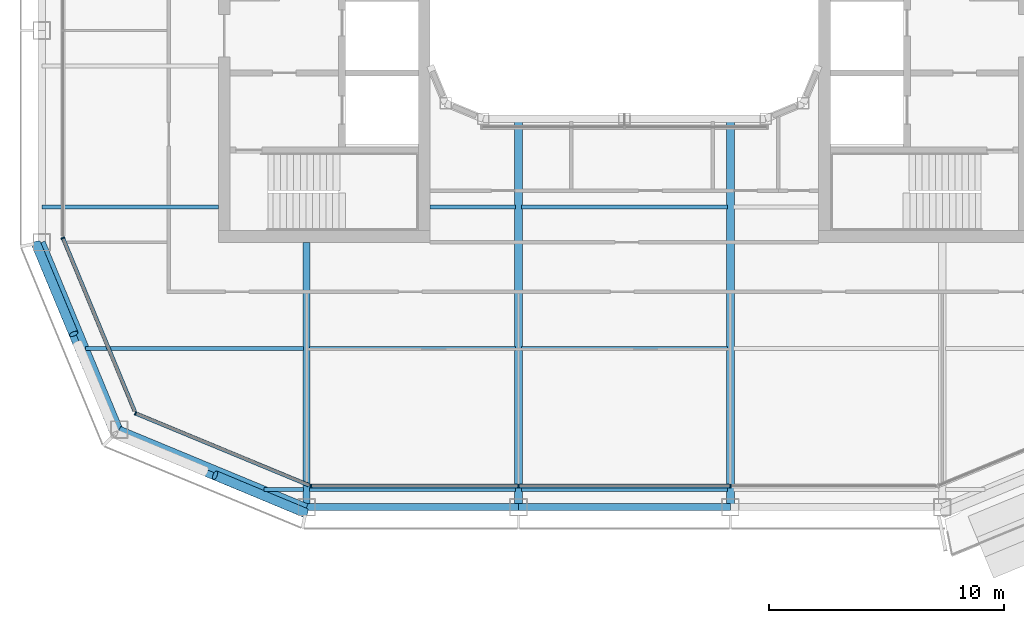
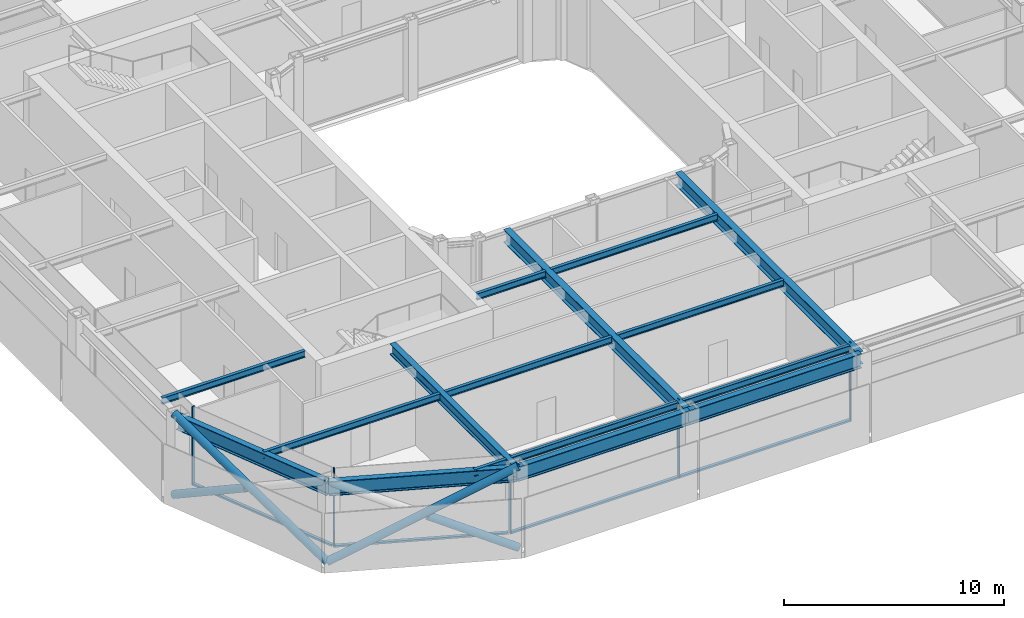
# One storey, part 2 of 21: 16 beams, 13 members, 3 elements without a shape of their own.
"""IFC4 building model written with IfcOpenShell, lengths in metres."""

from ifc_helpers import new_model, si_unit, direction, frame, origin, origin_2d, place, context, subcontext, project, spatial, rectangle, hollow_circle, i_section, extrude, material, layer, layer_set, material_profile, profile_set, type_object, element, aggregate, save


model = new_model("IFC4")

# Units and contexts
model_context = context("Model", 3, precision=1e-05, world=origin(), true_north=direction((0.0, 1.0)))
body_context = subcontext(model_context, "Body", "Model", "MODEL_VIEW")
ifc_project = project(units=[si_unit("LENGTHUNIT", "METRE"), si_unit("AREAUNIT", "SQUARE_METRE"), si_unit("VOLUMEUNIT", "CUBIC_METRE"), si_unit("PLANEANGLEUNIT", "RADIAN"), si_unit("MASSUNIT", "GRAM", prefix="KILO")], contexts=[model_context])

# Site, building, storey
site_placement = place(None, origin())
site = spatial("IfcSite", under=ifc_project, at=site_placement, CompositionType="ELEMENT")
building_placement = place(site_placement, origin())
building = spatial("IfcBuilding", under=site, at=building_placement, Name="Siwar Civic Tower", CompositionType="ELEMENT")
storey_placement = place(building_placement, frame((0.0, 0.0, 303.199951171875)))
storey = spatial("IfcBuildingStorey", under=building, at=storey_placement, Name="L65", CompositionType="ELEMENT", Elevation=303.199951171875)

# Curtain wall, members
ifc_material_1 = material(Name="Aluminium and glass", Category="aluminium")
ifc_layer_1 = layer(ifc_material_1, 0.159912109375)
ifc_layer_set_1 = layer_set([ifc_layer_1], Name="Aluminium and glass")
curtain_wall_type_1 = type_object("IfcCurtainWallType", Name="ENV-CW-D", PredefinedType="NOTDEFINED", material=ifc_layer_set_1)
curtain_wall_1_placement = place(storey_placement, origin())
curtain_wall_1 = element("IfcCurtainWall", 1, at=curtain_wall_1_placement, inside=storey, type_object=curtain_wall_type_1, Name="Curtain wall D S", PredefinedType="NOTDEFINED")
ifc_material_2 = material(Name="Aluminium 6063-T6", Category="aluminium")
ifc_material_profile_1 = material_profile(ifc_material_2, rectangle(XDim=0.159912109375, YDim=0.06005859375, at=origin_2d()), Name="AL 160x60")
ifc_profile_set_1 = profile_set([ifc_material_profile_1], Name="Aluminium 6063-T6")
member_type_1 = type_object("IfcMemberType", Name="ENV-MULLION-D", PredefinedType="MULLION", material=ifc_profile_set_1)
member_1_placement = place(storey_placement, frame((-13.321044921875, -23.85009765625, 0.0), z_axis=(0.0, 0.0, 1.0), x_axis=(0.0, 1.0, 0.0)))
member_1 = element("IfcMember", 2, at=member_1_placement, type_object=member_type_1, Name="Mullion D S 1", PredefinedType="MULLION", context=body_context, shape_type="SweptSolid", body=[
    extrude(rectangle(XDim=0.159912109375, YDim=0.06005859375, at=origin_2d()), origin(), (0.0, 0.0, 1.0), 4.35009765625),
])
member_2_placement = place(storey_placement, frame((-4.5, -23.85009765625, 0.0), z_axis=(0.0, 0.0, 1.0), x_axis=(0.0, 1.0, 0.0)))
member_2 = element("IfcMember", 3, at=member_2_placement, type_object=member_type_1, Name="Mullion D S 2", PredefinedType="MULLION", context=body_context, shape_type="SweptSolid", body=[
    extrude(rectangle(XDim=0.159912109375, YDim=0.06005859375, at=origin_2d()), origin(), (0.0, 0.0, 1.0), 4.35009765625),
])
member_3_placement = place(storey_placement, frame((4.5, -23.85009765625, 0.0), z_axis=(0.0, 0.0, 1.0), x_axis=(0.0, 1.0, 0.0)))
member_3 = element("IfcMember", 4, at=member_3_placement, type_object=member_type_1, Name="Mullion D S 3", PredefinedType="MULLION", context=body_context, shape_type="SweptSolid", body=[
    extrude(rectangle(XDim=0.159912109375, YDim=0.06005859375, at=origin_2d()), origin(), (0.0, 0.0, 1.0), 4.35009765625),
])

# Curtain wall, member
ifc_material_3 = material(Name="Aluminium clad insulated panel", Category="aluminium")
ifc_layer_2 = layer(ifc_material_3, 0.159912109375)
ifc_layer_set_2 = layer_set([ifc_layer_2], Name="Aluminium clad insulated panel")
curtain_wall_type_2 = type_object("IfcCurtainWallType", Name="ENV-CW-DX", PredefinedType="NOTDEFINED", material=ifc_layer_set_2)
curtain_wall_2_placement = place(storey_placement, origin())
curtain_wall_2 = element("IfcCurtainWall", 5, at=curtain_wall_2_placement, inside=storey, type_object=curtain_wall_type_2, Name="Curtain wall D SW1", PredefinedType="NOTDEFINED")
member_4_placement = place(storey_placement, frame((-23.85009765625, -13.321044921875, 0.0), z_axis=(0.0, 0.0, 1.0), x_axis=(0.923879532511, 0.382683432365, 0.0)))
member_4 = element("IfcMember", 6, at=member_4_placement, type_object=member_type_1, Name="Mullion D SW1 1", PredefinedType="MULLION", context=body_context, shape_type="SweptSolid", body=[
    extrude(rectangle(XDim=0.159912109375, YDim=0.06005859375, at=origin_2d()), origin(), (0.0, 0.0, 1.0), 4.35009765625),
])

curtain_wall_3_placement = place(storey_placement, origin())
curtain_wall_3 = element("IfcCurtainWall", 7, at=curtain_wall_3_placement, inside=storey, type_object=curtain_wall_type_2, Name="Curtain wall D SW2", PredefinedType="NOTDEFINED")
member_5_placement = place(storey_placement, frame((-20.76611328125, -20.76611328125, 0.0), z_axis=(0.0, 0.0, 1.0), x_axis=(0.382683432365, 0.923879532511, 0.0)))
member_5 = element("IfcMember", 8, at=member_5_placement, type_object=member_type_1, Name="Mullion D SW2 1", PredefinedType="MULLION", context=body_context, shape_type="SweptSolid", body=[
    extrude(rectangle(XDim=0.159912109375, YDim=0.06005859375, at=origin_2d()), origin(), (0.0, 0.0, 1.0), 4.35009765625),
])

# Member
ifc_material_4 = material(Name="Aluminium 6063-T6", Category="aluminium")
ifc_material_profile_2 = material_profile(ifc_material_4, rectangle(XDim=0.159912109375, YDim=0.10009765625, at=origin_2d()), Name="AL 160x100")
ifc_profile_set_2 = profile_set([ifc_material_profile_2], Name="Aluminium 6063-T6")
member_type_2 = type_object("IfcMemberType", Name="ENV-TRANSOM-D", PredefinedType="USERDEFINED", material=ifc_profile_set_2)
member_6_placement = place(storey_placement, frame((-13.291015625, -23.85009765625, 0.050048828125), z_axis=(1.0, 0.0, 0.0), x_axis=(0.0, 1.0, 0.0)))
member_6 = element("IfcMember", 9, at=member_6_placement, type_object=member_type_2, Name="Transom D S 1", ObjectType="TRANSOM", PredefinedType="USERDEFINED", context=body_context, shape_type="SweptSolid", body=[
    extrude(rectangle(XDim=0.159912109375, YDim=0.10009765625, at=origin_2d()), origin(), (0.0, 0.0, 1.0), 8.760986328125),
])

member_7_placement = place(storey_placement, frame((-4.469970703125, -23.85009765625, 0.050048828125), z_axis=(1.0, 0.0, 0.0), x_axis=(0.0, 1.0, 0.0)))
member_7 = element("IfcMember", 10, at=member_7_placement, type_object=member_type_2, Name="Transom D S 2", ObjectType="TRANSOM", PredefinedType="USERDEFINED", context=body_context, shape_type="SweptSolid", body=[
    extrude(rectangle(XDim=0.159912109375, YDim=0.10009765625, at=origin_2d()), origin(), (0.0, 0.0, 1.0), 8.93994140625),
])

aggregate(curtain_wall_1, [member_1, member_2, member_3, member_6, member_7])

member_8_placement = place(storey_placement, frame((-23.838623046875, -13.3486328125, 0.050048828125), z_axis=(0.382699790424, -0.923872756612, 0.0), x_axis=(0.923872756612, 0.382699790424, 0.0)))
member_8 = element("IfcMember", 11, at=member_8_placement, type_object=member_type_2, Name="Transom D SW1 1", ObjectType="TRANSOM", PredefinedType="USERDEFINED", context=body_context, shape_type="SweptSolid", body=[
    extrude(rectangle(XDim=0.159912109375, YDim=0.10009765625, at=origin_2d()), origin(), (0.0, 0.0, 1.0), 7.930908203125),
])

aggregate(curtain_wall_2, [member_4, member_8])

member_9_placement = place(storey_placement, frame((-20.738525390625, -20.777587890625, 0.050048828125), z_axis=(0.923883640343, -0.382673515031, 0.0), x_axis=(0.382673515031, 0.923883640343, 0.0)))
member_9 = element("IfcMember", 12, at=member_9_placement, type_object=member_type_2, Name="Transom D SW2 1", ObjectType="TRANSOM", PredefinedType="USERDEFINED", context=body_context, shape_type="SweptSolid", body=[
    extrude(rectangle(XDim=0.159912109375, YDim=0.10009765625, at=origin_2d()), origin(), (0.0, 0.0, 1.0), 7.930908203125),
])

aggregate(curtain_wall_3, [member_5, member_9])

# Members
ifc_material_5 = material(Name="Steel S355", Category="steel")
ifc_material_profile_3 = material_profile(ifc_material_5, hollow_circle(Radius=0.203125, WallThickness=0.01611328125, at=origin_2d()), Name="CHS406.4x16")
ifc_profile_set_3 = profile_set([ifc_material_profile_3], Name="Steel S355")
member_type_3 = type_object("IfcMemberType", Name="STR-BR-CHS406.4x16", PredefinedType="BRACE", material=ifc_profile_set_3)
member_10_placement = place(storey_placement, frame((-21.6318359375, -21.6318359375, 0.0), z_axis=(0.821142553604, -0.341671493852, 0.457149315816), x_axis=(0.384163874976, 0.923264922524, 0.0)))
element("IfcMember", 13, at=member_10_placement, inside=storey, type_object=member_type_3, Name="L65/brc/DSW1-4-0-1", PredefinedType="BRACE", context=body_context, shape_type="SweptSolid", body=[
    extrude(hollow_circle(Radius=0.203125, WallThickness=0.01611328125, at=origin_2d()), origin(), (0.0, 0.0, 1.0), 9.843505859375),
])
member_11_placement = place(storey_placement, frame((-13.548828125, -24.9951171875, 0.0), z_axis=(-0.821130093572, 0.341659024948, 0.45718101459), x_axis=(-0.384156893273, -0.923267827529, 0.0)))
element("IfcMember", 14, at=member_11_placement, inside=storey, type_object=member_type_3, Name="L65/brc/DSW1-4-0-2", PredefinedType="BRACE", context=body_context, shape_type="SweptSolid", body=[
    extrude(hollow_circle(Radius=0.203125, WallThickness=0.01611328125, at=origin_2d()), origin(), (0.0, 0.0, 1.0), 4.677001953125),
])
member_12_placement = place(storey_placement, frame((-21.6318359375, -21.6318359375, 0.0), z_axis=(-0.341671493852, 0.821142553604, 0.457149315816), x_axis=(-0.923264922524, -0.384163874976, 0.0)))
element("IfcMember", 15, at=member_12_placement, inside=storey, type_object=member_type_3, Name="L65/brc/DSW1-4-0-0", PredefinedType="BRACE", context=body_context, shape_type="SweptSolid", body=[
    extrude(hollow_circle(Radius=0.203125, WallThickness=0.01611328125, at=origin_2d()), origin(), (0.0, 0.0, 1.0), 9.843505859375),
])
member_13_placement = place(storey_placement, frame((-24.9951171875, -13.548828125, 0.0), z_axis=(0.341659024948, -0.821130093572, 0.45718101459), x_axis=(0.923267827529, 0.384156893273, 0.0)))
element("IfcMember", 16, at=member_13_placement, inside=storey, type_object=member_type_3, Name="L65/brc/DSW1-4-0-4", PredefinedType="BRACE", context=body_context, shape_type="SweptSolid", body=[
    extrude(hollow_circle(Radius=0.203125, WallThickness=0.01611328125, at=origin_2d()), origin(), (0.0, 0.0, 1.0), 4.677001953125),
])

# Beams
ifc_material_6 = material(Name="Steel S355", Category="steel")
ifc_material_profile_4 = material_profile(ifc_material_6, i_section(OverallWidth=0.169921875, OverallDepth=0.360107421875, WebThickness=0.008056640625, FlangeThickness=0.0126953125, FilletRadius=0.01806640625, at=origin_2d()), Name="IPE360")
ifc_profile_set_4 = profile_set([ifc_material_profile_4], Name="Steel S355")
beam_type_1 = type_object("IfcBeamType", Name="STR-FB-IPE360", PredefinedType="JOIST", material=ifc_profile_set_4)
beam_1_placement = place(storey_placement, frame((-15.310546875, -24.0, 4.170166015625), z_axis=(1.0, 0.0, 0.0), x_axis=(0.0, 1.0, 0.0)))
element("IfcBeam", 17, at=beam_1_placement, inside=storey, type_object=beam_type_1, Name="L65/bm/F001", PredefinedType="JOIST", context=body_context, shape_type="SweptSolid", body=[
    extrude(i_section(OverallWidth=0.169921875, OverallDepth=0.360107421875, WebThickness=0.008056640625, FlangeThickness=0.0126953125, FilletRadius=0.01806640625, at=origin_2d()), origin(), (0.0, 0.0, 1.0), 1.6806640625),
])
for number, where, z_axis, x_axis, name in (
    (18, (-13.3701171875, -24.0, 4.170166015625), (1.0, 0.0, 0.0), (0.0, 1.0, 0.0), "L65/bm/F002"),
    (19, (-4.3701171875, -24.0, 4.170166015625), (1.0, 0.0, 0.0), (0.0, 1.0, 0.0), "L65/bm/F003"),
):
    element("IfcBeam", number, at=place(storey_placement, frame(where, z_axis=z_axis, x_axis=x_axis)), inside=storey, type_object=beam_type_1, Name=name, PredefinedType="JOIST", context=body_context, shape_type="SweptSolid", body=[
        extrude(i_section(OverallWidth=0.169921875, OverallDepth=0.360107421875, WebThickness=0.008056640625, FlangeThickness=0.0126953125, FilletRadius=0.01806640625, at=origin_2d()), origin(), (0.0, 0.0, 1.0), 8.740234375),
    ])
beam_2_placement = place(storey_placement, frame((-22.885986328125, -18.0, 4.170166015625), z_axis=(1.0, 0.0, 0.0), x_axis=(0.0, 1.0, 0.0)))
element("IfcBeam", 20, at=beam_2_placement, inside=storey, type_object=beam_type_1, Name="L65/bm/F006", PredefinedType="JOIST", context=body_context, shape_type="SweptSolid", body=[
    extrude(i_section(OverallWidth=0.169921875, OverallDepth=0.360107421875, WebThickness=0.008056640625, FlangeThickness=0.0126953125, FilletRadius=0.01806640625, at=origin_2d()), origin(), (0.0, 0.0, 1.0), 9.256103515625),
])
for number, where, z_axis, x_axis, name in (
    (21, (-13.3701171875, -18.0, 4.170166015625), (1.0, 0.0, 0.0), (0.0, 1.0, 0.0), "L65/bm/F007"),
    (22, (-4.3701171875, -18.0, 4.170166015625), (1.0, 0.0, 0.0), (0.0, 1.0, 0.0), "L65/bm/F008"),
):
    element("IfcBeam", number, at=place(storey_placement, frame(where, z_axis=z_axis, x_axis=x_axis)), inside=storey, type_object=beam_type_1, Name=name, PredefinedType="JOIST", context=body_context, shape_type="SweptSolid", body=[
        extrude(i_section(OverallWidth=0.169921875, OverallDepth=0.360107421875, WebThickness=0.008056640625, FlangeThickness=0.0126953125, FilletRadius=0.01806640625, at=origin_2d()), origin(), (0.0, 0.0, 1.0), 8.740234375),
    ])
beam_3_placement = place(storey_placement, frame((-24.75, -12.0, 4.170166015625), z_axis=(1.0, 0.0, 0.0), x_axis=(0.0, 1.0, 0.0)))
element("IfcBeam", 23, at=beam_3_placement, inside=storey, type_object=beam_type_1, Name="L65/bm/F011", PredefinedType="JOIST", context=body_context, shape_type="SweptSolid", body=[
    extrude(i_section(OverallWidth=0.169921875, OverallDepth=0.360107421875, WebThickness=0.008056640625, FlangeThickness=0.0126953125, FilletRadius=0.01806640625, at=origin_2d()), origin(), (0.0, 0.0, 1.0), 7.5),
])
beam_4_placement = place(storey_placement, frame((-8.25, -12.0, 4.170166015625), z_axis=(1.0, 0.0, 0.0), x_axis=(0.0, 1.0, 0.0)))
element("IfcBeam", 24, at=beam_4_placement, inside=storey, type_object=beam_type_1, Name="L65/bm/F012", PredefinedType="JOIST", context=body_context, shape_type="SweptSolid", body=[
    extrude(i_section(OverallWidth=0.169921875, OverallDepth=0.360107421875, WebThickness=0.008056640625, FlangeThickness=0.0126953125, FilletRadius=0.01806640625, at=origin_2d()), origin(), (0.0, 0.0, 1.0), 3.6201171875),
])
beam_5_placement = place(storey_placement, frame((-4.3701171875, -12.0, 4.170166015625), z_axis=(1.0, 0.0, 0.0), x_axis=(0.0, 1.0, 0.0)))
element("IfcBeam", 25, at=beam_5_placement, inside=storey, type_object=beam_type_1, Name="L65/bm/F013", PredefinedType="JOIST", context=body_context, shape_type="SweptSolid", body=[
    extrude(i_section(OverallWidth=0.169921875, OverallDepth=0.360107421875, WebThickness=0.008056640625, FlangeThickness=0.0126953125, FilletRadius=0.01806640625, at=origin_2d()), origin(), (0.0, 0.0, 1.0), 8.740234375),
])
ifc_material_7 = material(Name="Steel S355", Category="steel")
ifc_material_profile_5 = material_profile(ifc_material_7, i_section(OverallWidth=0.300048828125, OverallDepth=0.60009765625, WebThickness=0.015380859375, FlangeThickness=0.030029296875, FilletRadius=0.027099609375, at=origin_2d()), Name="HEB600")
ifc_profile_set_5 = profile_set([ifc_material_profile_5], Name="Steel S355")
beam_type_2 = type_object("IfcBeamType", Name="STR-PG-HEB600", PredefinedType="BEAM", material=ifc_profile_set_5)
beam_6_placement = place(storey_placement, frame((-13.5, -24.75, 4.050048828125), z_axis=(0.0, 1.0, 0.0), x_axis=(-1.0, 0.0, 0.0)))
element("IfcBeam", 26, at=beam_6_placement, inside=storey, type_object=beam_type_2, Name="L65/bm/G01", PredefinedType="BEAM", context=body_context, shape_type="SweptSolid", body=[
    extrude(i_section(OverallWidth=0.300048828125, OverallDepth=0.60009765625, WebThickness=0.015380859375, FlangeThickness=0.030029296875, FilletRadius=0.027099609375, at=origin_2d()), origin(), (0.0, 0.0, 1.0), 11.25),
])
ifc_material_8 = material(Name="Steel S355", Category="steel")
ifc_material_profile_6 = material_profile(ifc_material_8, i_section(OverallWidth=0.340087890625, OverallDepth=0.699951171875, WebThickness=0.013916015625, FlangeThickness=0.030029296875, at=origin_2d()), Name="PG700x340x14x30")
ifc_profile_set_6 = profile_set([ifc_material_profile_6], Name="Steel S355")
beam_type_3 = type_object("IfcBeamType", Name="STR-PG-PG700x340x14x30", PredefinedType="BEAM", material=ifc_profile_set_6)
for number, where, z_axis, x_axis, name in (
    (27, (-4.5, -24.75, 4.0), (0.0, 1.0, 0.0), (-1.0, 0.0, 0.0), "L65/bm/G03"),
    (28, (4.5, -24.75, 4.0), (0.0, 1.0, 0.0), (-1.0, 0.0, 0.0), "L65/bm/G05"),
):
    element("IfcBeam", number, at=place(storey_placement, frame(where, z_axis=z_axis, x_axis=x_axis)), inside=storey, type_object=beam_type_3, Name=name, PredefinedType="BEAM", context=body_context, shape_type="SweptSolid", body=[
        extrude(i_section(OverallWidth=0.340087890625, OverallDepth=0.699951171875, WebThickness=0.013916015625, FlangeThickness=0.030029296875, at=origin_2d()), origin(), (0.0, 0.0, 1.0), 16.5),
    ])
ifc_material_9 = material(Name="Steel S355", Category="steel")
ifc_material_profile_7 = material_profile(ifc_material_9, i_section(OverallWidth=0.300048828125, OverallDepth=0.800048828125, WebThickness=0.017578125, FlangeThickness=0.032958984375, FilletRadius=0.030029296875, at=origin_2d()), Name="HEB800")
ifc_profile_set_7 = profile_set([ifc_material_profile_7], Name="Steel S355")
beam_type_4 = type_object("IfcBeamType", Name="STR-SB-HEB800", PredefinedType="BEAM", material=ifc_profile_set_7)
for number, where, z_axis, x_axis, name in (
    (29, (-13.5, -24.75, 3.949951171875), (1.0, 0.0, 0.0), (0.0, 1.0, 0.0), "L65/bm/SS-0"),
    (30, (-4.5, -24.75, 3.949951171875), (1.0, 0.0, 0.0), (0.0, 1.0, 0.0), "L65/bm/SS-1"),
):
    element("IfcBeam", number, at=place(storey_placement, frame(where, z_axis=z_axis, x_axis=x_axis)), inside=storey, type_object=beam_type_4, Name=name, PredefinedType="BEAM", context=body_context, shape_type="SweptSolid", body=[
        extrude(i_section(OverallWidth=0.300048828125, OverallDepth=0.800048828125, WebThickness=0.017578125, FlangeThickness=0.032958984375, FilletRadius=0.030029296875, at=origin_2d()), origin(), (0.0, 0.0, 1.0), 9.0),
    ])
for number, where, z_axis, x_axis, name in (
    (31, (-24.75, -13.5, 3.949951171875), (0.382699877515, -0.923872720536, 0.0), (0.923872720536, 0.382699877515, 0.0), "L65/bm/SSW1-0"),
    (32, (-21.454833984375, -21.454833984375, 3.949951171875), (0.923872720536, -0.382699877515, 0.0), (0.382699877515, 0.923872720536, 0.0), "L65/bm/SSW2-0"),
):
    element("IfcBeam", number, at=place(storey_placement, frame(where, z_axis=z_axis, x_axis=x_axis)), inside=storey, type_object=beam_type_4, Name=name, PredefinedType="BEAM", context=body_context, shape_type="SweptSolid", body=[
        extrude(i_section(OverallWidth=0.300048828125, OverallDepth=0.800048828125, WebThickness=0.017578125, FlangeThickness=0.032958984375, FilletRadius=0.030029296875, at=origin_2d()), origin(), (0.0, 0.0, 1.0), 8.6103515625),
    ])

save(model, "model.ifc")
